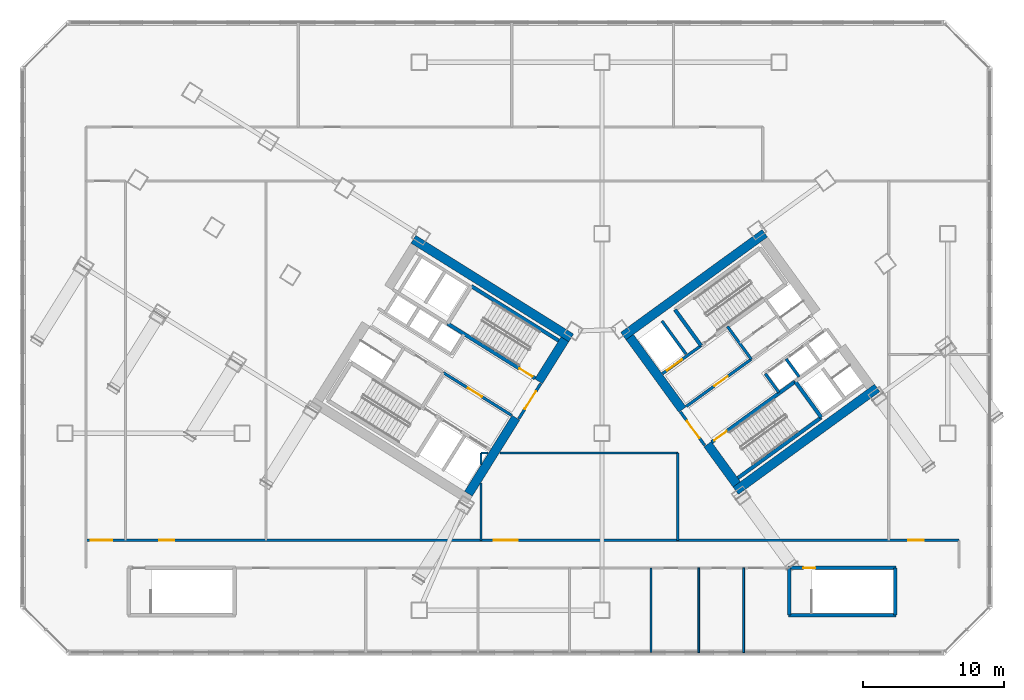
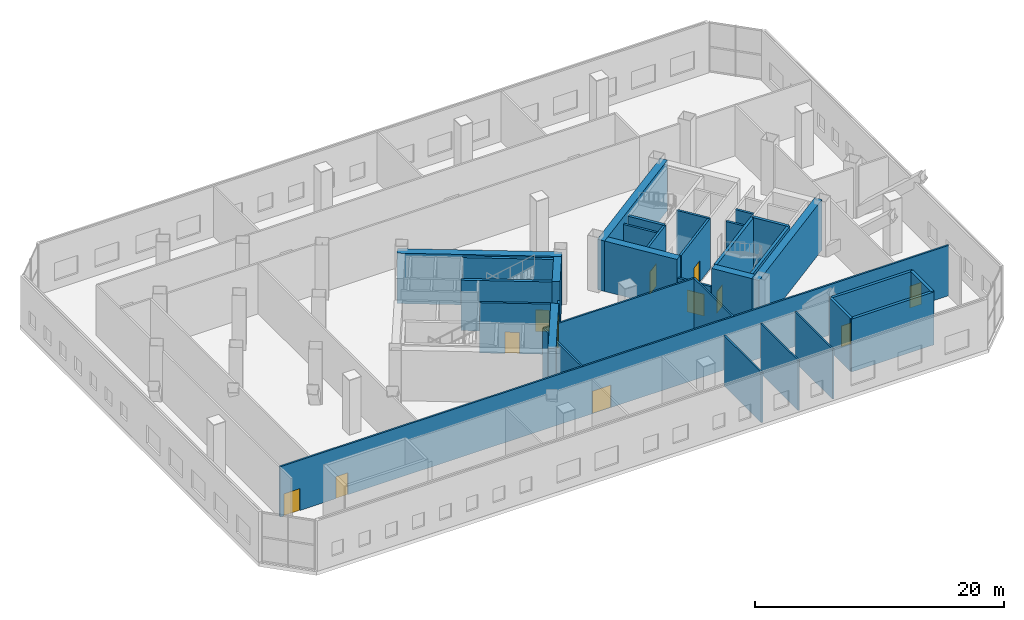
# One storey, part 15 of 23: 35 walls, 12 doors, 12 openings.
"""IFC4 building model written with IfcOpenShell, lengths in metres."""

from ifc_helpers import new_model, si_unit, direction, frame, frame_2d, origin, place, context, subcontext, project, spatial, rectangle, extrude, source, transform, mapped, material, layer, layer_set, type_object, element, fill, save


model = new_model("IFC4")

# Units and contexts
model_context = context("Model", 3, precision=1e-05, world=origin(), true_north=direction((0.0, 1.0)))
body_context = subcontext(model_context, "Body", "Model", "MODEL_VIEW")
ifc_project = project(units=[si_unit("LENGTHUNIT", "METRE"), si_unit("AREAUNIT", "SQUARE_METRE"), si_unit("VOLUMEUNIT", "CUBIC_METRE"), si_unit("PLANEANGLEUNIT", "RADIAN"), si_unit("MASSUNIT", "GRAM", prefix="KILO")], contexts=[model_context])

# Site, building, storey
site_placement = place(None, origin())
site = spatial("IfcSite", under=ifc_project, at=site_placement, CompositionType="ELEMENT")
building_placement = place(site_placement, origin())
building = spatial("IfcBuilding", under=site, at=building_placement, Name="Tlacorven Tower", CompositionType="ELEMENT")
storey_placement = place(building_placement, frame((0.0, 0.0, 18.60009765625)))
storey = spatial("IfcBuildingStorey", under=building, at=storey_placement, Name="L04", CompositionType="ELEMENT", Elevation=18.60009765625)

# Walls
ifc_material_1 = material(Name="Concrete C60/75", Category="concrete")
ifc_layer_1 = layer(ifc_material_1, 0.64990234375)
ifc_layer_set_1 = layer_set([ifc_layer_1], Name="Concrete C60/75")
wall_type_1 = type_object("IfcWallType", Name="WL-COR-650", PredefinedType="SHEAR", material=ifc_layer_set_1)
wall_1_placement = place(storey_placement, frame((40.615478515625, 23.9833984375, 0.0), z_axis=(0.0, 0.0, 1.0), x_axis=(-0.848045953968, 0.529922692436, 0.0)))
element("IfcWall", 1, at=wall_1_placement, inside=storey, type_object=wall_type_1, Name="L04 W core shear wall S1", PredefinedType="SHEAR", context=body_context, shape_type="SweptSolid", body=[
    extrude(rectangle(XDim=13.239990234375, YDim=0.64990234375, at=frame_2d((6.6201171875, 0.0))), origin(), (0.0, 0.0, 1.0), 4.949951171875),
])
wall_2_placement = place(storey_placement, frame((40.167724609375, 23.880126953125, 0.0), z_axis=(0.0, 0.0, 1.0), x_axis=(-0.529893103397, -0.8480644427, 0.0)))
element("IfcWall", 2, at=wall_2_placement, inside=storey, type_object=wall_type_1, Name="L04 W core end wall E1.1", PredefinedType="SHEAR", context=body_context, shape_type="SweptSolid", body=[
    extrude(rectangle(XDim=3.525146484375, YDim=0.64990234375, at=frame_2d((1.7626953125, 0.0))), origin(), (0.0, 0.0, 1.0), 4.949951171875),
])
wall_3_placement = place(storey_placement, frame((36.683349609375, 18.30419921875, 0.0), z_axis=(0.0, 0.0, 1.0), x_axis=(-0.529899109053, -0.848060690178, 0.0)))
element("IfcWall", 3, at=wall_3_placement, inside=storey, type_object=wall_type_1, Name="L04 W core end wall E1.2", PredefinedType="SHEAR", context=body_context, shape_type="SweptSolid", body=[
    extrude(rectangle(XDim=6.375244140625, YDim=0.64990234375, at=frame_2d((3.1875, 0.0))), origin(), (0.0, 0.0, 1.0), 4.949951171875),
])
wall_4_placement = place(storey_placement, frame((52.318359375, 13.1103515625, 0.0), z_axis=(0.0, 0.0, 1.0), x_axis=(0.809019445368, 0.587781878776, 0.0)))
element("IfcWall", 4, at=wall_4_placement, inside=storey, type_object=wall_type_1, Name="L04 E core shear wall S1", PredefinedType="SHEAR", context=body_context, shape_type="SweptSolid", body=[
    extrude(rectangle(XDim=12.43994140625, YDim=0.64990234375, at=frame_2d((6.219970703125, 0.0))), origin(), (0.0, 0.0, 1.0), 4.949951171875),
])
wall_5_placement = place(storey_placement, frame((44.32470703125, 24.113037109375, 0.0), z_axis=(0.0, 0.0, 1.0), x_axis=(0.809012664862, 0.58779121131, 0.0)))
element("IfcWall", 5, at=wall_5_placement, inside=storey, type_object=wall_type_1, Name="L04 E core shear wall S2", PredefinedType="SHEAR", context=body_context, shape_type="SweptSolid", body=[
    extrude(rectangle(XDim=12.439697265625, YDim=0.64990234375, at=frame_2d((6.2197265625, 0.0))), origin(), (0.0, 0.0, 1.0), 4.949951171875),
])
wall_6_placement = place(storey_placement, frame((52.390380859375, 13.564208984375, 0.0), z_axis=(0.0, 0.0, 1.0), x_axis=(-0.58779688989, 0.809008539037, 0.0)))
element("IfcWall", 6, at=wall_6_placement, inside=storey, type_object=wall_type_1, Name="L04 E core end wall E1.1", PredefinedType="SHEAR", context=body_context, shape_type="SweptSolid", body=[
    extrude(rectangle(XDim=3.525146484375, YDim=0.64990234375, at=frame_2d((1.7626953125, 0.0))), origin(), (0.0, 0.0, 1.0), 4.949951171875),
])
wall_7_placement = place(storey_placement, frame((48.525634765625, 18.883544921875, 0.0), z_axis=(0.0, 0.0, 1.0), x_axis=(-0.58777996584, 0.809020835181, 0.0)))
element("IfcWall", 7, at=wall_7_placement, inside=storey, type_object=wall_type_1, Name="L04 E core end wall E1.2", PredefinedType="SHEAR", context=body_context, shape_type="SweptSolid", body=[
    extrude(rectangle(XDim=6.375, YDim=0.64990234375, at=frame_2d((3.1875, 0.0))), origin(), (0.0, 0.0, 1.0), 4.949951171875),
])

# Wall, openings, doors
ifc_material_2 = material(Name="Gypsum plasterboard acoustic partition", Category="gypsum")
ifc_layer_2 = layer(ifc_material_2, 0.159912109375)
ifc_layer_set_2 = layer_set([ifc_layer_2], Name="Gypsum plasterboard acoustic partition")
wall_type_2 = type_object("IfcWallType", Name="WL-DEM-160", PredefinedType="PARTITIONING", material=ifc_layer_set_2)
wall_8_placement = place(storey_placement, frame((6.10009765625, 9.580078125, 0.0), z_axis=(0.0, 0.0, 1.0), x_axis=(1.0, 0.0, 0.0)))
wall_8 = element("IfcWall", 8, at=wall_8_placement, inside=storey, type_object=wall_type_2, Name="L04 partition 62", PredefinedType="PARTITIONING", context=body_context, shape_type="SweptSolid", body=[
    extrude(rectangle(XDim=62.099853515625, YDim=0.159912109375, at=frame_2d((31.0498046875, 0.0))), origin(), (0.0, 0.0, 1.0), 4.93994140625),
])
opening_1_placement = place(wall_8_placement, frame((29.0, 0.0, 0.0)))
opening_1 = element("IfcOpeningElement", 9, at=opening_1_placement, cuts=wall_8, Name="Opening D17", PredefinedType="OPENING", context=body_context, shape_type="SweptSolid", body=[
    extrude(rectangle(XDim=1.699951171875, YDim=2.199951171875, at=frame_2d((0.85009765625, 1.10009765625))), frame((0.0, 0.08984375, 0.0), z_axis=(0.0, -1.0, 0.0), x_axis=(1.0, 0.0, 0.0)), (0.0, 0.0, 1.0), 0.179931640625),
])
opening_2_placement = place(wall_8_placement, frame((0.35009765625, 0.0, 0.0)))
opening_2 = element("IfcOpeningElement", 10, at=opening_2_placement, cuts=wall_8, Name="Opening D10", PredefinedType="OPENING", context=body_context, shape_type="SweptSolid", body=[
    extrude(rectangle(XDim=1.5, YDim=2.14990234375, at=frame_2d((0.75, 1.074951171875))), frame((0.0, 0.08984375, 0.0), z_axis=(0.0, -1.0, 0.0), x_axis=(1.0, 0.0, 0.0)), (0.0, 0.0, 1.0), 0.179931640625),
])
opening_3_placement = place(wall_8_placement, frame((5.199951171875, 0.0, 0.0)))
opening_3 = element("IfcOpeningElement", 11, at=opening_3_placement, cuts=wall_8, Name="Opening D15", PredefinedType="OPENING", context=body_context, shape_type="SweptSolid", body=[
    extrude(rectangle(XDim=1.080078125, YDim=2.14990234375, at=frame_2d((0.5400390625, 1.074951171875))), frame((0.0, 0.08984375, 0.0), z_axis=(0.0, -1.0, 0.0), x_axis=(1.0, 0.0, 0.0)), (0.0, 0.0, 1.0), 0.179931640625),
])
opening_4_placement = place(wall_8_placement, frame((58.5, 0.0, 0.0)))
opening_4 = element("IfcOpeningElement", 12, at=opening_4_placement, cuts=wall_8, Name="Opening D15", PredefinedType="OPENING", context=body_context, shape_type="SweptSolid", body=[
    extrude(rectangle(XDim=1.080078125, YDim=2.14990234375, at=frame_2d((0.5400390625, 1.074951171875))), frame((0.0, 0.08984375, 0.0), z_axis=(0.0, -1.0, 0.0), x_axis=(1.0, 0.0, 0.0)), (0.0, 0.0, 1.0), 0.179931640625),
])
ifc_material_3 = material(Name="Fire-rated steel door assembly", Category="steel")
door_type_1 = type_object("IfcDoorType", Name="DR-LOB-FD60-1500", OperationType="DOUBLE_DOOR_SINGLE_SWING", PredefinedType="DOOR", material=ifc_material_3)
shared_shape_1 = source(origin(), body_context, "Body", "SweptSolid", [
    extrude(rectangle(XDim=1.5, YDim=2.14990234375, at=frame_2d((0.75, 1.074951171875))), frame((0.0, 0.02490234375, 0.0), z_axis=(0.0, -1.0, 0.0), x_axis=(1.0, 0.0, 0.0)), (0.0, 0.0, 1.0), 0.050048828125),
])
door_1_placement = place(opening_2_placement, origin())
door_1 = element("IfcDoor", 13, at=door_1_placement, inside=storey, type_object=door_type_1, Name="L04 door 031", OperationType="DOUBLE_DOOR_SINGLE_SWING", OverallHeight=2.14990234375, OverallWidth=1.5, PredefinedType="DOOR", context=body_context, shape_type="MappedRepresentation", body=[
    mapped(shared_shape_1, transform((0.0, 0.0, 0.0), scale=1.0)),
])
fill(opening_2, door_1)
door_type_2 = type_object("IfcDoorType", Name="DR-COM-HALL-1700", OperationType="DOUBLE_DOOR_SINGLE_SWING", PredefinedType="DOOR", material=ifc_material_3)
shared_shape_2 = source(origin(), body_context, "Body", "SweptSolid", [
    extrude(rectangle(XDim=1.699951171875, YDim=2.199951171875, at=frame_2d((0.85009765625, 1.10009765625))), frame((0.0, 0.02490234375, 0.0), z_axis=(0.0, -1.0, 0.0), x_axis=(1.0, 0.0, 0.0)), (0.0, 0.0, 1.0), 0.050048828125),
])
door_2_placement = place(opening_1_placement, origin())
door_2 = element("IfcDoor", 14, at=door_2_placement, inside=storey, type_object=door_type_2, Name="L04 door 021", OperationType="DOUBLE_DOOR_SINGLE_SWING", OverallHeight=2.199951171875, OverallWidth=1.699951171875, PredefinedType="DOOR", context=body_context, shape_type="MappedRepresentation", body=[
    mapped(shared_shape_2, transform((0.0, 0.0, 0.0), scale=1.0)),
])
fill(opening_1, door_2)
door_type_3 = type_object("IfcDoorType", Name="DR-CLN-CONS-1080", OperationType="NOTDEFINED", PredefinedType="DOOR", material=ifc_material_3)
shared_shape_3 = source(origin(), body_context, "Body", "SweptSolid", [
    extrude(rectangle(XDim=1.080078125, YDim=2.14990234375, at=frame_2d((0.5400390625, 1.074951171875))), frame((0.0, 0.02490234375, 0.0), z_axis=(0.0, -1.0, 0.0), x_axis=(1.0, 0.0, 0.0)), (0.0, 0.0, 1.0), 0.050048828125),
])
door_3_placement = place(opening_3_placement, origin())
door_3 = element("IfcDoor", 15, at=door_3_placement, inside=storey, type_object=door_type_3, Name="L04 door 037", OperationType="SINGLE_SWING_RIGHT", OverallHeight=2.14990234375, OverallWidth=1.080078125, PredefinedType="DOOR", context=body_context, shape_type="MappedRepresentation", body=[
    mapped(shared_shape_3, transform((0.0, 0.0, 0.0), scale=1.0)),
])
fill(opening_3, door_3)
door_4_placement = place(opening_4_placement, origin())
door_4 = element("IfcDoor", 16, at=door_4_placement, inside=storey, type_object=door_type_3, Name="L04 door 038", OperationType="SINGLE_SWING_LEFT", OverallHeight=2.14990234375, OverallWidth=1.080078125, PredefinedType="DOOR", context=body_context, shape_type="MappedRepresentation", body=[
    mapped(shared_shape_3, transform((0.0, 0.0, 0.0), scale=1.0)),
])
fill(opening_4, door_4)

# Walls
wall_9_placement = place(storey_placement, frame((34.199951171875, 9.580078125, 0.0), z_axis=(0.0, 0.0, 1.0), x_axis=(0.0, 1.0, 0.0)))
element("IfcWall", 17, at=wall_9_placement, inside=storey, type_object=wall_type_2, Name="L04 partition 64", PredefinedType="PARTITIONING", context=body_context, shape_type="SweptSolid", body=[
    extrude(rectangle(XDim=4.08544921875, YDim=0.159912109375, at=frame_2d((2.042724609375, 0.0))), origin(), (0.0, 0.0, 1.0), 4.93994140625),
])
wall_10_placement = place(storey_placement, frame((34.199951171875, 14.993896484375, 0.0), z_axis=(0.0, 0.0, 1.0), x_axis=(0.0, 1.0, 0.0)))
element("IfcWall", 18, at=wall_10_placement, inside=storey, type_object=wall_type_2, Name="L04 partition 64", PredefinedType="PARTITIONING", context=body_context, shape_type="SweptSolid", body=[
    extrude(rectangle(XDim=0.80615234375, YDim=0.159912109375, at=frame_2d((0.403076171875, 0.0))), origin(), (0.0, 0.0, 1.0), 4.93994140625),
])
wall_11_placement = place(storey_placement, frame((48.199951171875, 9.580078125, 0.0), z_axis=(0.0, 0.0, 1.0), x_axis=(0.0, 1.0, 0.0)))
element("IfcWall", 19, at=wall_11_placement, inside=storey, type_object=wall_type_2, Name="L04 partition 65", PredefinedType="PARTITIONING", context=body_context, shape_type="SweptSolid", body=[
    extrude(rectangle(XDim=6.219970703125, YDim=0.159912109375, at=frame_2d((3.10986328125, 0.0))), origin(), (0.0, 0.0, 1.0), 4.93994140625),
])
wall_12_placement = place(storey_placement, frame((34.199951171875, 15.800048828125, 0.0), z_axis=(0.0, 0.0, 1.0), x_axis=(1.0, 0.0, 0.0)))
element("IfcWall", 20, at=wall_12_placement, inside=storey, type_object=wall_type_2, Name="L04 partition 66", PredefinedType="PARTITIONING", context=body_context, shape_type="SweptSolid", body=[
    extrude(rectangle(XDim=0.503662109375, YDim=0.159912109375, at=frame_2d((0.251953125, 0.0))), origin(), (0.0, 0.0, 1.0), 4.93994140625),
])
wall_13_placement = place(storey_placement, frame((35.53369140625, 15.800048828125, 0.0), z_axis=(0.0, 0.0, 1.0), x_axis=(1.0, 0.0, 0.0)))
element("IfcWall", 21, at=wall_13_placement, inside=storey, type_object=wall_type_2, Name="L04 partition 66", PredefinedType="PARTITIONING", context=body_context, shape_type="SweptSolid", body=[
    extrude(rectangle(XDim=12.666259765625, YDim=0.159912109375, at=frame_2d((6.3330078125, 0.0))), origin(), (0.0, 0.0, 1.0), 4.93994140625),
])
wall_14_placement = place(storey_placement, frame((46.2900390625, 1.60009765625, 0.0), z_axis=(0.0, 0.0, 1.0), x_axis=(0.0, 1.0, 0.0)))
element("IfcWall", 22, at=wall_14_placement, inside=storey, type_object=wall_type_2, Name="L04 partition 70", PredefinedType="PARTITIONING", context=body_context, shape_type="SweptSolid", body=[
    extrude(rectangle(XDim=6.02001953125, YDim=0.159912109375, at=frame_2d((3.010009765625, 0.0))), origin(), (0.0, 0.0, 1.0), 4.93994140625),
])
ifc_material_4 = material(Name="Moisture-resistant gypsum plumbing wall", Category="gypsum")
ifc_layer_3 = layer(ifc_material_4, 0.139892578125)
ifc_layer_set_3 = layer_set([ifc_layer_3], Name="Moisture-resistant gypsum plumbing wall")
wall_type_3 = type_object("IfcWallType", Name="WL-PLM-140", PredefinedType="PLUMBINGWALL", material=ifc_layer_set_3)
for number, where, z_axis, x_axis, name in (
    (23, (49.68994140625, 1.60009765625, 0.0), (0.0, 0.0, 1.0), (0.0, 1.0, 0.0), "L04 partition 71"),
    (24, (52.889892578125, 1.60009765625, 0.0), (0.0, 0.0, 1.0), (0.0, 1.0, 0.0), "L04 partition 72"),
):
    element("IfcWall", number, at=place(storey_placement, frame(where, z_axis=z_axis, x_axis=x_axis)), inside=storey, type_object=wall_type_3, Name=name, PredefinedType="PLUMBINGWALL", context=body_context, shape_type="SweptSolid", body=[
        extrude(rectangle(XDim=6.02001953125, YDim=0.139892578125, at=frame_2d((3.010009765625, 0.0))), origin(), (0.0, 0.0, 1.0), 4.93994140625),
    ])

# Wall, opening, door
ifc_material_5 = material(Name="Concrete C40/50", Category="concrete")
ifc_layer_4 = layer(ifc_material_5, 0.199951171875)
ifc_layer_set_4 = layer_set([ifc_layer_4], Name="Concrete C40/50")
wall_type_4 = type_object("IfcWallType", Name="WL-SHF-200", PredefinedType="STANDARD", material=ifc_layer_set_4)
wall_15_placement = place(storey_placement, frame((36.374267578125, 18.4736328125, 0.0), z_axis=(0.0, 0.0, 1.0), x_axis=(-0.848051071577, 0.529914502535, 0.0)))
wall_15 = element("IfcWall", 25, at=wall_15_placement, inside=storey, type_object=wall_type_4, Name="L04 Core W Smoke Lobby Wall", PredefinedType="STANDARD", context=body_context, shape_type="SweptSolid", body=[
    extrude(rectangle(XDim=5.718017578125, YDim=0.199951171875, at=frame_2d((2.85888671875, 0.0))), origin(), (0.0, 0.0, 1.0), 4.93994140625),
])
opening_5_placement = place(wall_15_placement, frame((2.498046875, 0.0, 0.0)))
opening_5 = element("IfcOpeningElement", 26, at=opening_5_placement, cuts=wall_15, Name="Opening D09", PredefinedType="OPENING", context=body_context, shape_type="SweptSolid", body=[
    extrude(rectangle(XDim=1.14990234375, YDim=2.10009765625, at=frame_2d((0.574951171875, 1.050048828125))), frame((0.0, 0.10986328125, 0.0), z_axis=(0.0, -1.0, 0.0), x_axis=(1.0, 0.0, 0.0)), (0.0, 0.0, 1.0), 0.219970703125),
])
door_type_4 = type_object("IfcDoorType", Name="DR-FFL-FD60-1150", OperationType="NOTDEFINED", PredefinedType="DOOR", material=ifc_material_3)
shared_shape_4 = source(origin(), body_context, "Body", "SweptSolid", [
    extrude(rectangle(XDim=1.14990234375, YDim=2.10009765625, at=frame_2d((0.574951171875, 1.050048828125))), frame((0.0, 0.02490234375, 0.0), z_axis=(0.0, -1.0, 0.0), x_axis=(1.0, 0.0, 0.0)), (0.0, 0.0, 1.0), 0.050048828125),
])
door_5_placement = place(opening_5_placement, origin())
door_5 = element("IfcDoor", 27, at=door_5_placement, inside=storey, type_object=door_type_4, Name="L04 Firefighting Lobby W Fire Door", OperationType="SINGLE_SWING_RIGHT", OverallHeight=2.10009765625, OverallWidth=1.14990234375, PredefinedType="DOOR", context=body_context, shape_type="MappedRepresentation", body=[
    mapped(shared_shape_4, transform((0.0, 0.0, 0.0), scale=1.0)),
])
fill(opening_5, door_5)

wall_16_placement = place(storey_placement, frame((47.10595703125, 21.4365234375, 0.0), z_axis=(0.0, 0.0, 1.0), x_axis=(0.809012514015, 0.58779141893, 0.0)))
wall_16 = element("IfcWall", 28, at=wall_16_placement, inside=storey, type_object=wall_type_4, Name="L04 Core E Firefighting Lift Shaft Front Wall", PredefinedType="STANDARD", context=body_context, shape_type="SweptSolid", body=[
    extrude(rectangle(XDim=3.39794921875, YDim=0.199951171875, at=frame_2d((1.698974609375, 0.0))), origin(), (0.0, 0.0, 1.0), 4.93994140625),
])
opening_6_placement = place(wall_16_placement, frame((0.407958984375, 0.0, 0.0)))
opening_6 = element("IfcOpeningElement", 29, at=opening_6_placement, cuts=wall_16, Name="Opening LD03", PredefinedType="OPENING", context=body_context, shape_type="SweptSolid", body=[
    extrude(rectangle(XDim=1.300048828125, YDim=2.199951171875, at=frame_2d((0.64990234375, 1.10009765625))), frame((0.0, 0.10986328125, 0.0), z_axis=(0.0, -1.0, 0.0), x_axis=(1.0, 0.0, 0.0)), (0.0, 0.0, 1.0), 0.219970703125),
])
door_type_5 = type_object("IfcDoorType", Name="DR-LFT-SLID-1300", OperationType="DOUBLE_DOOR_SLIDING", PredefinedType="DOOR", material=ifc_material_3)
shared_shape_5 = source(origin(), body_context, "Body", "SweptSolid", [
    extrude(rectangle(XDim=1.300048828125, YDim=2.199951171875, at=frame_2d((0.64990234375, 1.10009765625))), frame((0.0, 0.02490234375, 0.0), z_axis=(0.0, -1.0, 0.0), x_axis=(1.0, 0.0, 0.0)), (0.0, 0.0, 1.0), 0.050048828125),
])
door_6_placement = place(opening_6_placement, origin())
door_6 = element("IfcDoor", 30, at=door_6_placement, inside=storey, type_object=door_type_5, Name="L04 Lift FFL-E1 Sliding Landing Door", OperationType="DOUBLE_DOOR_SLIDING", OverallHeight=2.199951171875, OverallWidth=1.300048828125, PredefinedType="DOOR", context=body_context, shape_type="MappedRepresentation", body=[
    mapped(shared_shape_5, transform((0.0, 0.0, 0.0), scale=1.0)),
])
fill(opening_6, door_6)

wall_17_placement = place(storey_placement, frame((48.798828125, 19.106689453125, 0.0), z_axis=(0.0, 0.0, 1.0), x_axis=(0.809012959416, 0.587790805897, 0.0)))
wall_17 = element("IfcWall", 31, at=wall_17_placement, inside=storey, type_object=wall_type_4, Name="L04 Core E Smoke Lobby Wall", PredefinedType="STANDARD", context=body_context, shape_type="SweptSolid", body=[
    extrude(rectangle(XDim=5.7177734375, YDim=0.199951171875, at=frame_2d((2.85888671875, 0.0))), origin(), (0.0, 0.0, 1.0), 4.93994140625),
])
opening_7_placement = place(wall_17_placement, frame((2.498046875, 0.0, 0.0)))
opening_7 = element("IfcOpeningElement", 32, at=opening_7_placement, cuts=wall_17, Name="Opening D09", PredefinedType="OPENING", context=body_context, shape_type="SweptSolid", body=[
    extrude(rectangle(XDim=1.14990234375, YDim=2.10009765625, at=frame_2d((0.574951171875, 1.050048828125))), frame((0.0, 0.10986328125, 0.0), z_axis=(0.0, -1.0, 0.0), x_axis=(1.0, 0.0, 0.0)), (0.0, 0.0, 1.0), 0.219970703125),
])
door_7_placement = place(opening_7_placement, origin())
door_7 = element("IfcDoor", 33, at=door_7_placement, inside=storey, type_object=door_type_4, Name="L04 Firefighting Lobby E Fire Door", OperationType="SINGLE_SWING_LEFT", OverallHeight=2.10009765625, OverallWidth=1.14990234375, PredefinedType="DOOR", context=body_context, shape_type="MappedRepresentation", body=[
    mapped(shared_shape_4, transform((0.0, 0.0, 0.0), scale=1.0)),
])
fill(opening_7, door_7)

# Walls
wall_18_placement = place(storey_placement, frame((55.390869140625, 20.1015625, 0.0), z_axis=(0.0, 0.0, 1.0), x_axis=(-0.58778447739, 0.809017557374, 0.0)))
element("IfcWall", 34, at=wall_18_placement, inside=storey, type_object=wall_type_4, Name="L04 partition 37", PredefinedType="STANDARD", context=body_context, shape_type="SweptSolid", body=[
    extrude(rectangle(XDim=1.64990234375, YDim=0.199951171875, at=frame_2d((0.824951171875, 0.0))), origin(), (0.0, 0.0, 1.0), 4.93994140625),
])
wall_19_placement = place(storey_placement, frame((48.78564453125, 22.830078125, 0.0), z_axis=(0.0, 0.0, 1.0), x_axis=(-0.587783856777, 0.809018008275, 0.0)))
element("IfcWall", 35, at=wall_19_placement, inside=storey, type_object=wall_type_4, Name="L04 partition 38", PredefinedType="STANDARD", context=body_context, shape_type="SweptSolid", body=[
    extrude(rectangle(XDim=2.919921875, YDim=0.199951171875, at=frame_2d((1.4599609375, 0.0))), origin(), (0.0, 0.0, 1.0), 4.93994140625),
])
wall_20_placement = place(storey_placement, frame((56.833984375, 21.211669921875, 0.0), z_axis=(0.0, 0.0, 1.0), x_axis=(-0.58776738483, 0.809029975545, 0.0)))
element("IfcWall", 36, at=wall_20_placement, inside=storey, type_object=wall_type_4, Name="L04 partition 39", PredefinedType="STANDARD", context=body_context, shape_type="SweptSolid", body=[
    extrude(rectangle(XDim=1.580078125, YDim=0.199951171875, at=frame_2d((0.7900390625, 0.0))), origin(), (0.0, 0.0, 1.0), 4.93994140625),
])
wall_21_placement = place(storey_placement, frame((53.424560546875, 22.467529296875, 0.0), z_axis=(0.0, 0.0, 1.0), x_axis=(-0.5877230039, 0.809062216821, 0.0)))
element("IfcWall", 37, at=wall_21_placement, inside=storey, type_object=wall_type_4, Name="L04 partition 46", PredefinedType="STANDARD", context=body_context, shape_type="SweptSolid", body=[
    extrude(rectangle(XDim=2.8798828125, YDim=0.199951171875, at=frame_2d((1.43994140625, 0.0))), origin(), (0.0, 0.0, 1.0), 4.93994140625),
])

# Wall, opening, door
wall_22_placement = place(storey_placement, frame((38.451416015625, 20.737060546875, 0.0), z_axis=(0.0, 0.0, 1.0), x_axis=(-0.529924799939, -0.848044637038, 0.0)))
wall_22 = element("IfcWall", 38, at=wall_22_placement, inside=storey, type_object=wall_type_4, Name="L04 partition 60", PredefinedType="STANDARD", context=body_context, shape_type="SweptSolid", body=[
    extrude(rectangle(XDim=2.9599609375, YDim=0.199951171875, at=frame_2d((1.47998046875, 0.0))), origin(), (0.0, 0.0, 1.0), 3.125),
])
opening_8_placement = place(wall_22_placement, frame((0.64990234375, 0.0, 0.0)))
opening_8 = element("IfcOpeningElement", 39, at=opening_8_placement, cuts=wall_22, Name="Opening D10", PredefinedType="OPENING", context=body_context, shape_type="SweptSolid", body=[
    extrude(rectangle(XDim=1.5, YDim=2.14990234375, at=frame_2d((0.75, 1.074951171875))), frame((0.0, 0.10986328125, 0.0), z_axis=(0.0, -1.0, 0.0), x_axis=(1.0, 0.0, 0.0)), (0.0, 0.0, 1.0), 0.219970703125),
])
door_8_placement = place(opening_8_placement, frame((1.5, 0.0, 0.0), z_axis=(0.0, 0.0, 1.0), x_axis=(-1.0, 0.0, 0.0)))
door_8 = element("IfcDoor", 40, at=door_8_placement, inside=storey, type_object=door_type_1, Name="L04 door 022", OperationType="DOUBLE_DOOR_SINGLE_SWING", OverallHeight=2.14990234375, OverallWidth=1.5, PredefinedType="DOOR", context=body_context, shape_type="MappedRepresentation", body=[
    mapped(shared_shape_1, transform((0.0, 0.0, 0.0), scale=1.0)),
])
fill(opening_8, door_8)

wall_23_placement = place(storey_placement, frame((50.119140625, 16.3330078125, 0.0), z_axis=(0.0, 0.0, 1.0), x_axis=(-0.587749856981, 0.809042709391, 0.0)))
wall_23 = element("IfcWall", 41, at=wall_23_placement, inside=storey, type_object=wall_type_4, Name="L04 partition 61", PredefinedType="STANDARD", context=body_context, shape_type="SweptSolid", body=[
    extrude(rectangle(XDim=2.9599609375, YDim=0.199951171875, at=frame_2d((1.47998046875, 0.0))), origin(), (0.0, 0.0, 1.0), 3.125),
])
opening_9_placement = place(wall_23_placement, frame((0.64990234375, 0.0, 0.0)))
opening_9 = element("IfcOpeningElement", 42, at=opening_9_placement, cuts=wall_23, Name="Opening D10", PredefinedType="OPENING", context=body_context, shape_type="SweptSolid", body=[
    extrude(rectangle(XDim=1.5, YDim=2.14990234375, at=frame_2d((0.75, 1.074951171875))), frame((0.0, 0.10986328125, 0.0), z_axis=(0.0, -1.0, 0.0), x_axis=(1.0, 0.0, 0.0)), (0.0, 0.0, 1.0), 0.219970703125),
])
door_9_placement = place(opening_9_placement, frame((1.5, 0.0, 0.0), z_axis=(0.0, 0.0, 1.0), x_axis=(-1.0, 0.0, 0.0)))
door_9 = element("IfcDoor", 43, at=door_9_placement, inside=storey, type_object=door_type_1, Name="L04 door 023", OperationType="DOUBLE_DOOR_SINGLE_SWING", OverallHeight=2.14990234375, OverallWidth=1.5, PredefinedType="DOOR", context=body_context, shape_type="MappedRepresentation", body=[
    mapped(shared_shape_1, transform((0.0, 0.0, 0.0), scale=1.0)),
])
fill(opening_9, door_9)

# Wall
ifc_material_6 = material(Name="Concrete C50/60", Category="concrete")
ifc_layer_5 = layer(ifc_material_6, 0.260009765625)
ifc_layer_set_5 = layer_set([ifc_layer_5], Name="Concrete C50/60")
wall_type_5 = type_object("IfcWallType", Name="WL-STW-260", PredefinedType="SHEAR", material=ifc_layer_set_5)
wall_24_placement = place(storey_placement, frame((39.720947265625, 23.787841796875, 0.0), z_axis=(0.0, 0.0, 1.0), x_axis=(-0.848054434086, 0.529909121291, 0.0)))
element("IfcWall", 44, at=wall_24_placement, inside=storey, type_object=wall_type_5, Name="L04 Stair W2 Far Shear Wall", PredefinedType="SHEAR", context=body_context, shape_type="SweptSolid", body=[
    extrude(rectangle(XDim=7.330078125, YDim=0.260009765625, at=frame_2d((3.6650390625, 0.0))), origin(), (0.0, 0.0, 1.0), 4.949951171875),
])

# Wall, opening, door
wall_25_placement = place(storey_placement, frame((38.04638671875, 21.10791015625, 0.0), z_axis=(0.0, 0.0, 1.0), x_axis=(-0.848054434086, 0.529909121291, 0.0)))
wall_25 = element("IfcWall", 45, at=wall_25_placement, inside=storey, type_object=wall_type_5, Name="L04 Stair W2 Lobby Shear Wall", PredefinedType="SHEAR", context=body_context, shape_type="SweptSolid", body=[
    extrude(rectangle(XDim=7.330078125, YDim=0.260009765625, at=frame_2d((3.6650390625, 0.0))), origin(), (0.0, 0.0, 1.0), 4.949951171875),
])
opening_10_placement = place(wall_25_placement, frame((0.219970703125, 0.0, 0.0)))
opening_10 = element("IfcOpeningElement", 46, at=opening_10_placement, cuts=wall_25, Name="Opening D07", PredefinedType="OPENING", context=body_context, shape_type="SweptSolid", body=[
    extrude(rectangle(XDim=1.10009765625, YDim=2.10009765625, at=frame_2d((0.550048828125, 1.050048828125))), frame((0.0, 0.14013671875, 0.0), z_axis=(0.0, -1.0, 0.0), x_axis=(1.0, 0.0, 0.0)), (0.0, 0.0, 1.0), 0.280029296875),
])
door_type_6 = type_object("IfcDoorType", Name="DR-STR-FD90-1100", OperationType="NOTDEFINED", PredefinedType="DOOR", material=ifc_material_3)
shared_shape_6 = source(origin(), body_context, "Body", "SweptSolid", [
    extrude(rectangle(XDim=1.10009765625, YDim=2.10009765625, at=frame_2d((0.550048828125, 1.050048828125))), frame((0.0, 0.02490234375, 0.0), z_axis=(0.0, -1.0, 0.0), x_axis=(1.0, 0.0, 0.0)), (0.0, 0.0, 1.0), 0.050048828125),
])
door_10_placement = place(opening_10_placement, origin())
door_10 = element("IfcDoor", 47, at=door_10_placement, inside=storey, type_object=door_type_6, Name="L04 Exit Stair W2 Fire Door", OperationType="SINGLE_SWING_LEFT", OverallHeight=2.10009765625, OverallWidth=1.10009765625, PredefinedType="DOOR", context=body_context, shape_type="MappedRepresentation", body=[
    mapped(shared_shape_6, transform((0.0, 0.0, 0.0), scale=1.0)),
])
fill(opening_10, door_10)

# Walls
wall_26_placement = place(storey_placement, frame((49.85498046875, 23.433837890625, 0.0), z_axis=(0.0, 0.0, 1.0), x_axis=(-0.58776738483, 0.809029975545, 0.0)))
element("IfcWall", 48, at=wall_26_placement, inside=storey, type_object=wall_type_5, Name="L04 Stair E1 West Shear Wall", PredefinedType="SHEAR", context=body_context, shape_type="SweptSolid", body=[
    extrude(rectangle(XDim=3.16015625, YDim=0.260009765625, at=frame_2d((1.580078125, 0.0))), origin(), (0.0, 0.0, 1.0), 4.949951171875),
])
wall_27_placement = place(storey_placement, frame((52.47216796875, 14.01318359375, 0.0), z_axis=(0.0, 0.0, 1.0), x_axis=(0.809028366311, 0.587769599847, 0.0)))
element("IfcWall", 49, at=wall_27_placement, inside=storey, type_object=wall_type_5, Name="L04 Stair E2 Far Shear Wall", PredefinedType="SHEAR", context=body_context, shape_type="SweptSolid", body=[
    extrude(rectangle(XDim=7.330078125, YDim=0.260009765625, at=frame_2d((3.6650390625, 0.0))), origin(), (0.0, 0.0, 1.0), 4.949951171875),
])

# Wall, opening, door
wall_28_placement = place(storey_placement, frame((50.61474609375, 16.569580078125, 0.0), z_axis=(0.0, 0.0, 1.0), x_axis=(0.809028366311, 0.587769599847, 0.0)))
wall_28 = element("IfcWall", 50, at=wall_28_placement, inside=storey, type_object=wall_type_5, Name="L04 Stair E2 Lobby Shear Wall", PredefinedType="SHEAR", context=body_context, shape_type="SweptSolid", body=[
    extrude(rectangle(XDim=7.330078125, YDim=0.260009765625, at=frame_2d((3.6650390625, 0.0))), origin(), (0.0, 0.0, 1.0), 4.949951171875),
])
opening_11_placement = place(wall_28_placement, frame((0.219970703125, 0.0, 0.0)))
opening_11 = element("IfcOpeningElement", 51, at=opening_11_placement, cuts=wall_28, Name="Opening D07", PredefinedType="OPENING", context=body_context, shape_type="SweptSolid", body=[
    extrude(rectangle(XDim=1.10009765625, YDim=2.10009765625, at=frame_2d((0.550048828125, 1.050048828125))), frame((0.0, 0.14013671875, 0.0), z_axis=(0.0, -1.0, 0.0), x_axis=(1.0, 0.0, 0.0)), (0.0, 0.0, 1.0), 0.280029296875),
])
door_11_placement = place(opening_11_placement, origin())
door_11 = element("IfcDoor", 52, at=door_11_placement, inside=storey, type_object=door_type_6, Name="L04 Exit Stair E2 Fire Door", OperationType="SINGLE_SWING_RIGHT", OverallHeight=2.10009765625, OverallWidth=1.10009765625, PredefinedType="DOOR", context=body_context, shape_type="MappedRepresentation", body=[
    mapped(shared_shape_6, transform((0.0, 0.0, 0.0), scale=1.0)),
])
fill(opening_11, door_11)

# Wall
wall_29_placement = place(storey_placement, frame((58.410400390625, 18.327392578125, 0.0), z_axis=(0.0, 0.0, 1.0), x_axis=(-0.58776738483, 0.809029975545, 0.0)))
element("IfcWall", 53, at=wall_29_placement, inside=storey, type_object=wall_type_5, Name="L04 Stair E2 East Shear Wall", PredefinedType="SHEAR", context=body_context, shape_type="SweptSolid", body=[
    extrude(rectangle(XDim=3.16015625, YDim=0.260009765625, at=frame_2d((1.580078125, 0.0))), origin(), (0.0, 0.0, 1.0), 4.949951171875),
])

# Wall, opening, door
wall_30_placement = place(storey_placement, frame((56.070068359375, 7.6201171875, 0.0), z_axis=(0.0, 0.0, 1.0), x_axis=(1.0, 0.0, 0.0)))
wall_30 = element("IfcWall", 54, at=wall_30_placement, inside=storey, type_object=wall_type_5, Name="L04 Stair P2 North Wall", PredefinedType="SHEAR", context=body_context, shape_type="SweptSolid", body=[
    extrude(rectangle(XDim=7.659912109375, YDim=0.260009765625, at=frame_2d((3.830078125, 0.0))), origin(), (0.0, 0.0, 1.0), 5.199951171875),
])
opening_12_placement = place(wall_30_placement, frame((1.06005859375, 0.0, 0.0)))
opening_12 = element("IfcOpeningElement", 55, at=opening_12_placement, cuts=wall_30, Name="Opening D19", PredefinedType="OPENING", context=body_context, shape_type="SweptSolid", body=[
    extrude(rectangle(XDim=0.860107421875, YDim=2.050048828125, at=frame_2d((0.43017578125, 1.02490234375))), frame((0.0, 0.14013671875, 0.0), z_axis=(0.0, -1.0, 0.0), x_axis=(1.0, 0.0, 0.0)), (0.0, 0.0, 1.0), 0.280029296875),
])
door_type_7 = type_object("IfcDoorType", Name="DR-RSR-FD60-0860", OperationType="NOTDEFINED", PredefinedType="DOOR", material=ifc_material_3)
shared_shape_7 = source(origin(), body_context, "Body", "SweptSolid", [
    extrude(rectangle(XDim=0.860107421875, YDim=2.050048828125, at=frame_2d((0.43017578125, 1.02490234375))), frame((0.0, 0.02490234375, 0.0), z_axis=(0.0, -1.0, 0.0), x_axis=(1.0, 0.0, 0.0)), (0.0, 0.0, 1.0), 0.050048828125),
])
door_12_placement = place(opening_12_placement, origin())
door_12 = element("IfcDoor", 56, at=door_12_placement, inside=storey, type_object=door_type_7, Name="L04 door 020", OperationType="SINGLE_SWING_LEFT", OverallHeight=2.050048828125, OverallWidth=0.860107421875, PredefinedType="DOOR", context=body_context, shape_type="MappedRepresentation", body=[
    mapped(shared_shape_7, transform((0.0, 0.0, 0.0), scale=1.0)),
])
fill(opening_12, door_12)

# Walls
wall_31_placement = place(storey_placement, frame((56.070068359375, 4.260009765625, 0.0), z_axis=(0.0, 0.0, 1.0), x_axis=(1.0, 0.0, 0.0)))
element("IfcWall", 57, at=wall_31_placement, inside=storey, type_object=wall_type_5, Name="L04 Stair P2 South Wall", PredefinedType="SHEAR", context=body_context, shape_type="SweptSolid", body=[
    extrude(rectangle(XDim=7.659912109375, YDim=0.260009765625, at=frame_2d((3.830078125, 0.0))), origin(), (0.0, 0.0, 1.0), 5.199951171875),
])
for number, where, z_axis, x_axis, name in (
    (58, (56.139892578125, 4.260009765625, 0.0), (0.0, 0.0, 1.0), (0.0, 1.0, 0.0), "L04 Stair P2 West Wall"),
    (59, (63.659912109375, 4.260009765625, 0.0), (0.0, 0.0, 1.0), (0.0, 1.0, 0.0), "L04 Stair P2 East Wall"),
):
    element("IfcWall", number, at=place(storey_placement, frame(where, z_axis=z_axis, x_axis=x_axis)), inside=storey, type_object=wall_type_5, Name=name, PredefinedType="SHEAR", context=body_context, shape_type="SweptSolid", body=[
        extrude(rectangle(XDim=3.360107421875, YDim=0.260009765625, at=frame_2d((1.68017578125, 0.0))), origin(), (0.0, 0.0, 1.0), 5.199951171875),
    ])

save(model, "model.ifc")
